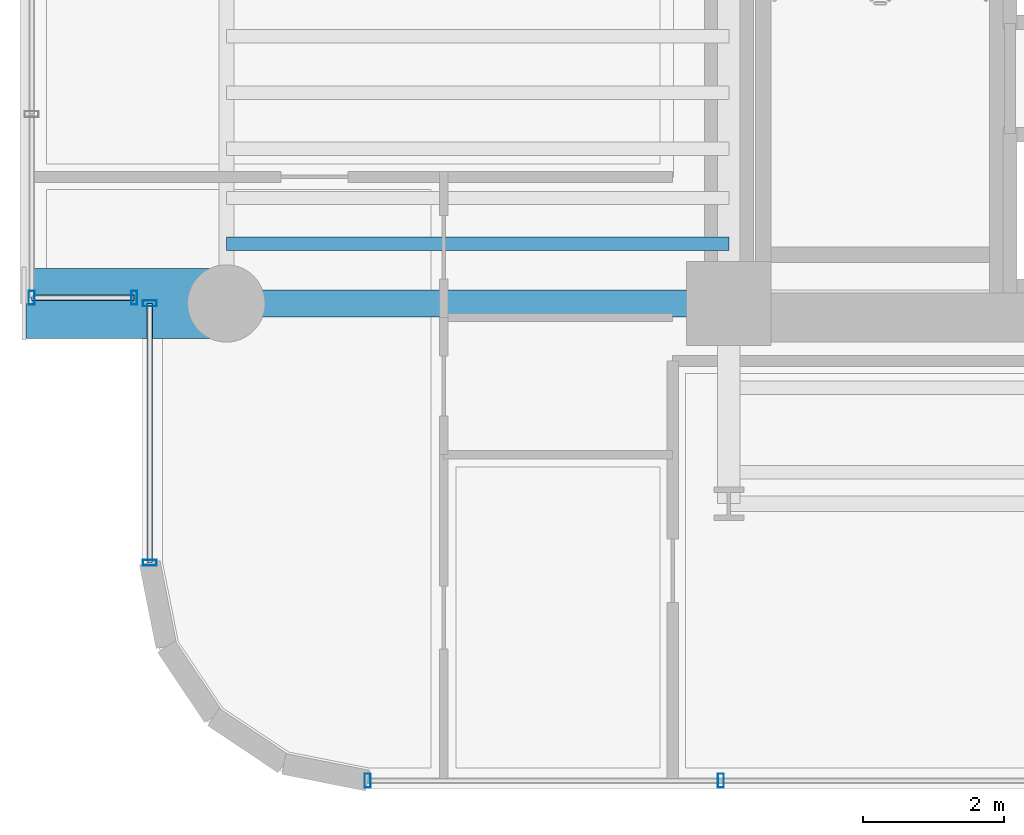
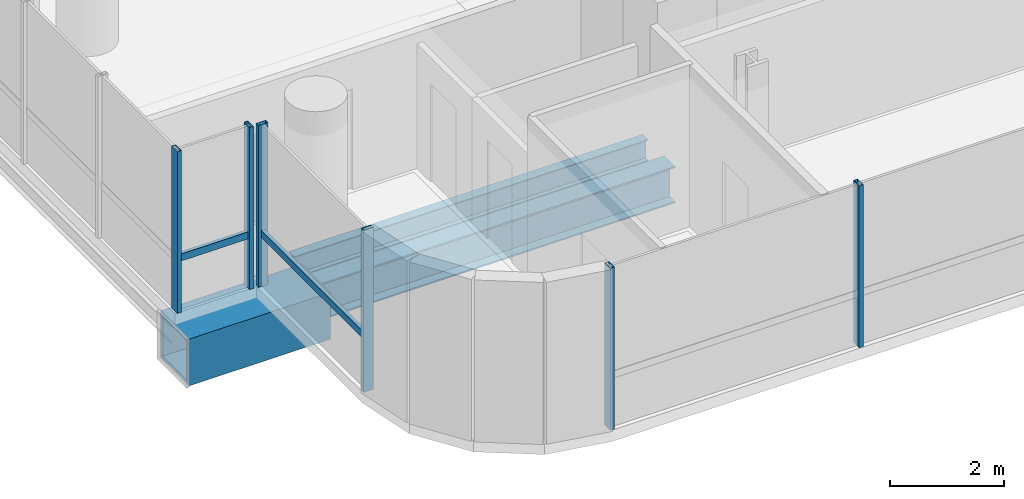
# One storey, part 2 of 38: 8 members, 3 beams, 3 elements without a shape of their own.
"""IFC4 building model written with IfcOpenShell, lengths in metres."""

from ifc_helpers import new_model, si_unit, direction, frame, origin, origin_2d, place, context, subcontext, project, spatial, hollow_rectangle, i_section, extrude, source, transform, mapped, material, material_profile, profile_set, type_object, element, aggregate, save


model = new_model("IFC4")

# Units and contexts
model_context = context("Model", 3, precision=1e-05, world=origin(), true_north=direction((0.0, 1.0)))
body_context = subcontext(model_context, "Body", "Model", "MODEL_VIEW")
ifc_project = project(units=[si_unit("LENGTHUNIT", "METRE"), si_unit("AREAUNIT", "SQUARE_METRE"), si_unit("VOLUMEUNIT", "CUBIC_METRE"), si_unit("PLANEANGLEUNIT", "RADIAN"), si_unit("MASSUNIT", "GRAM", prefix="KILO")], contexts=[model_context])

# Site, building, storey
site_placement = place(None, origin())
site = spatial("IfcSite", under=ifc_project, at=site_placement, CompositionType="ELEMENT")
building_placement = place(site_placement, origin())
building = spatial("IfcBuilding", under=site, at=building_placement, Name="Valdorenza Pilgrim Sanctuary Tower", CompositionType="ELEMENT")
storey_placement = place(building_placement, frame((0.0, 0.0, 131.60009765625)))
storey = spatial("IfcBuildingStorey", under=building, at=storey_placement, Name="L33", CompositionType="ELEMENT", Elevation=131.60009765625)

# Beams
ifc_material_1 = material(Name="Steel ASTM A992 Grade 50", Category="steel")
ifc_material_profile_1 = material_profile(ifc_material_1, i_section(OverallWidth=0.382080078125, OverallDepth=0.779052734375, WebThickness=0.01806640625, FlangeThickness=0.030029296875, at=origin_2d()), Name="W30X191")
ifc_profile_set_1 = profile_set([ifc_material_profile_1], Name="Steel ASTM A992 Grade 50")
beam_type_1 = type_object("IfcBeamType", Name="STR-BM-GRD-W30", PredefinedType="BEAM", material=ifc_profile_set_1)
shared_shape_1 = source(origin(), body_context, "Body", "SweptSolid", [
    extrude(i_section(OverallWidth=0.382080078125, OverallDepth=0.779052734375, WebThickness=0.01806640625, FlangeThickness=0.030029296875, at=origin_2d()), origin(), (0.0, 0.0, 1.0), 7.150146484375),
])
beam_1_placement = place(storey_placement, frame((-29.800048828125, -10.60009765625, -0.629638671875), z_axis=(1.0, 0.0, 0.0), x_axis=(0.0, 1.0, 0.0)))
element("IfcBeam", 1, at=beam_1_placement, inside=storey, type_object=beam_type_1, Name="L33 Floor Girder WA-XW-S1", PredefinedType="BEAM", context=body_context, shape_type="MappedRepresentation", body=[
    mapped(shared_shape_1, transform((0.0, 0.0, 0.0), x_axis=(1.0, 0.0, 0.0), y_axis=(0.0, 1.0, 0.0), z_axis=(0.0, 0.0, 1.0), scale=1.0)),
])
ifc_material_profile_2 = material_profile(ifc_material_1, i_section(OverallWidth=0.19091796875, OverallDepth=0.45703125, WebThickness=0.009033203125, FlangeThickness=0.014404296875, at=origin_2d()), Name="W18X50")
ifc_profile_set_2 = profile_set([ifc_material_profile_2], Name="Steel ASTM A992 Grade 50")
beam_type_2 = type_object("IfcBeamType", Name="STR-BM-JST-W18B", PredefinedType="JOIST", material=ifc_profile_set_2)
shared_shape_2 = source(origin(), body_context, "Body", "SweptSolid", [
    extrude(i_section(OverallWidth=0.19091796875, OverallDepth=0.45703125, WebThickness=0.009033203125, FlangeThickness=0.014404296875, at=origin_2d()), origin(), (0.0, 0.0, 1.0), 7.150146484375),
])
beam_2_placement = place(storey_placement, frame((-29.800048828125, -9.75, -0.468505859375), z_axis=(1.0, 0.0, 0.0), x_axis=(0.0, 1.0, 0.0)))
element("IfcBeam", 2, at=beam_2_placement, inside=storey, type_object=beam_type_2, Name="L33 Composite Floor Joist JST-WA-1", PredefinedType="JOIST", context=body_context, shape_type="MappedRepresentation", body=[
    mapped(shared_shape_2, transform((0.0, 0.0, 0.0), x_axis=(1.0, 0.0, 0.0), y_axis=(0.0, 1.0, 0.0), z_axis=(0.0, 0.0, 1.0), scale=1.0)),
])
ifc_material_2 = material(Name="Steel ASTM A572 Grade 42", Category="steel")
ifc_material_profile_3 = material_profile(ifc_material_2, hollow_rectangle(XDim=1.0, YDim=1.0, WallThickness=0.080078125, at=origin_2d()), Name="BOX 1000x1000x80")
ifc_profile_set_3 = profile_set([ifc_material_profile_3], Name="Steel ASTM A572 Grade 42")
beam_type_3 = type_object("IfcBeamType", Name="STR-BM-PROW-CANT", PredefinedType="BEAM", material=ifc_profile_set_3)
shared_shape_3 = source(origin(), body_context, "Body", "SweptSolid", [
    extrude(hollow_rectangle(XDim=1.0, YDim=1.0, WallThickness=0.080078125, at=origin_2d()), origin(), (0.0, 0.0, 1.0), 2.849853515625),
])
beam_3_placement = place(storey_placement, frame((-29.800048828125, -10.60009765625, -0.739990234375), z_axis=(-1.0, 0.0, 0.0), x_axis=(0.0, -1.0, 0.0)))
element("IfcBeam", 3, at=beam_3_placement, inside=storey, type_object=beam_type_3, Name="L33 Glass Box Cantilever Beam BOX-WA-L33-CT-S", PredefinedType="BEAM", context=body_context, shape_type="MappedRepresentation", body=[
    mapped(shared_shape_3, transform((0.0, 0.0, 0.0), x_axis=(1.0, 0.0, 0.0), y_axis=(0.0, 1.0, 0.0), z_axis=(0.0, 0.0, 1.0), scale=1.0)),
])

# Curtain wall, members
ifc_material_3 = material(Name="Curtain-wall IGU glazing", Category="glass")
curtain_wall_type = type_object("IfcCurtainWallType", Name="CW-SYS-02", PredefinedType="NOTDEFINED", material=ifc_material_3)
curtain_wall_1_placement = place(storey_placement, origin())
curtain_wall_1 = element("IfcCurtainWall", 4, at=curtain_wall_1_placement, inside=storey, type_object=curtain_wall_type, Name="L33 Curtain Wall CW-L33-1-1S1", PredefinedType="NOTDEFINED")
ifc_material_4 = material(Name="Anodised aluminium AW-6060", Category="aluminium")
ifc_material_profile_4 = material_profile(ifc_material_4, hollow_rectangle(XDim=0.0849609375, YDim=0.199951171875, WallThickness=0.0048828125, at=origin_2d()), Name="ALU-M 200x85x5")
ifc_profile_set_4 = profile_set([ifc_material_profile_4], Name="Anodised aluminium AW-6060")
member_type_1 = type_object("IfcMemberType", Name="CW-MUL-02", PredefinedType="MULLION", material=ifc_profile_set_4)
shared_shape_4 = source(origin(), body_context, "Body", "SweptSolid", [
    extrude(hollow_rectangle(XDim=0.0849609375, YDim=0.199951171875, WallThickness=0.0048828125, at=origin_2d()), origin(), (0.0, 0.0, 1.0), 3.4599609375),
])
member_1_placement = place(storey_placement, frame((-30.889892578125, -14.289306640625, 0.0), z_axis=(0.0, 0.0, 1.0), x_axis=(0.0, 1.0, 0.0)))
member_1 = element("IfcMember", 5, at=member_1_placement, type_object=member_type_1, Name="CW-L33-1-1S1 Mullion 1", PredefinedType="MULLION", context=body_context, shape_type="MappedRepresentation", body=[
    mapped(shared_shape_4, transform((0.0, 0.0, 0.0), x_axis=(1.0, 0.0, 0.0), y_axis=(0.0, 1.0, 0.0), z_axis=(0.0, 0.0, 1.0), scale=1.0)),
])
member_2_placement = place(storey_placement, frame((-30.889892578125, -10.60009765625, 0.0), z_axis=(0.0, 0.0, 1.0), x_axis=(0.0, 1.0, 0.0)))
member_2 = element("IfcMember", 6, at=member_2_placement, type_object=member_type_1, Name="CW-L33-1-1S1 Mullion 2", PredefinedType="MULLION", context=body_context, shape_type="MappedRepresentation", body=[
    mapped(shared_shape_4, transform((0.0, 0.0, 0.0), x_axis=(1.0, 0.0, 0.0), y_axis=(0.0, 1.0, 0.0), z_axis=(0.0, 0.0, 1.0), scale=1.0)),
])

curtain_wall_2_placement = place(storey_placement, origin())
curtain_wall_2 = element("IfcCurtainWall", 7, at=curtain_wall_2_placement, inside=storey, type_object=curtain_wall_type, Name="L33 Curtain Wall CW-L33-1-46", PredefinedType="NOTDEFINED")
member_3_placement = place(storey_placement, frame((-22.76318359375, -17.389892578125, 0.0), z_axis=(0.0, 0.0, 1.0), x_axis=(-1.0, 0.0, 0.0)))
member_3 = element("IfcMember", 8, at=member_3_placement, type_object=member_type_1, Name="CW-L33-1-46 Mullion 3", PredefinedType="MULLION", context=body_context, shape_type="MappedRepresentation", body=[
    mapped(shared_shape_4, transform((0.0, 0.0, 0.0), x_axis=(1.0, 0.0, 0.0), y_axis=(0.0, 1.0, 0.0), z_axis=(0.0, 0.0, 1.0), scale=1.0)),
])
member_4_placement = place(storey_placement, frame((-27.789306640625, -17.389892578125, 0.0), z_axis=(0.0, 0.0, 1.0), x_axis=(-1.0, 0.0, 0.0)))
member_4 = element("IfcMember", 9, at=member_4_placement, type_object=member_type_1, Name="CW-L33-1-46 Mullion 4", PredefinedType="MULLION", context=body_context, shape_type="MappedRepresentation", body=[
    mapped(shared_shape_4, transform((0.0, 0.0, 0.0), x_axis=(1.0, 0.0, 0.0), y_axis=(0.0, 1.0, 0.0), z_axis=(0.0, 0.0, 1.0), scale=1.0)),
])
aggregate(curtain_wall_2, [member_3, member_4])

curtain_wall_3_placement = place(storey_placement, origin())
curtain_wall_3 = element("IfcCurtainWall", 10, at=curtain_wall_3_placement, inside=storey, type_object=curtain_wall_type, Name="L33 Curtain Wall CW-L33-BOX-WA-L33-S", PredefinedType="NOTDEFINED")
member_5_placement = place(storey_placement, frame((-31.110107421875, -10.52001953125, 0.0), z_axis=(0.0, 0.0, 1.0), x_axis=(-1.0, 0.0, 0.0)))
member_5 = element("IfcMember", 11, at=member_5_placement, type_object=member_type_1, Name="CW-L33-BOX-WA-L33-S Mullion 1", PredefinedType="MULLION", context=body_context, shape_type="MappedRepresentation", body=[
    mapped(shared_shape_4, transform((0.0, 0.0, 0.0), x_axis=(1.0, 0.0, 0.0), y_axis=(0.0, 1.0, 0.0), z_axis=(0.0, 0.0, 1.0), scale=1.0)),
])
member_6_placement = place(storey_placement, frame((-32.570068359375, -10.52001953125, 0.0), z_axis=(0.0, 0.0, 1.0), x_axis=(-1.0, 0.0, 0.0)))
member_6 = element("IfcMember", 12, at=member_6_placement, type_object=member_type_1, Name="CW-L33-BOX-WA-L33-S Mullion 2", PredefinedType="MULLION", context=body_context, shape_type="MappedRepresentation", body=[
    mapped(shared_shape_4, transform((0.0, 0.0, 0.0), x_axis=(1.0, 0.0, 0.0), y_axis=(0.0, 1.0, 0.0), z_axis=(0.0, 0.0, 1.0), scale=1.0)),
])
ifc_material_profile_5 = material_profile(ifc_material_4, hollow_rectangle(XDim=0.074951171875, YDim=0.14990234375, WallThickness=0.00390625, at=origin_2d()), Name="ALU-T 150x75x4")
ifc_profile_set_5 = profile_set([ifc_material_profile_5], Name="Anodised aluminium AW-6060")
member_type_2 = type_object("IfcMemberType", Name="CW-TRN-02", PredefinedType="USERDEFINED", material=ifc_profile_set_5)
shared_shape_5 = source(origin(), body_context, "Body", "SweptSolid", [
    extrude(hollow_rectangle(XDim=0.074951171875, YDim=0.14990234375, WallThickness=0.00390625, at=origin_2d()), origin(), (0.0, 0.0, 1.0), 1.4599609375),
])
member_7_placement = place(storey_placement, frame((-31.110107421875, -10.52001953125, 1.119873046875), z_axis=(-1.0, 0.0, 0.0), x_axis=(0.0, -1.0, 0.0)))
member_7 = element("IfcMember", 13, at=member_7_placement, type_object=member_type_2, Name="CW-L33-BOX-WA-L33-S Transom 1", ObjectType="TRANSOM", PredefinedType="USERDEFINED", context=body_context, shape_type="MappedRepresentation", body=[
    mapped(shared_shape_5, transform((0.0, 0.0, 0.0), x_axis=(1.0, 0.0, 0.0), y_axis=(0.0, 1.0, 0.0), z_axis=(0.0, 0.0, 1.0), scale=1.0)),
])
aggregate(curtain_wall_3, [member_5, member_6, member_7])

# Member
shared_shape_6 = source(origin(), body_context, "Body", "SweptSolid", [
    extrude(hollow_rectangle(XDim=0.074951171875, YDim=0.14990234375, WallThickness=0.00390625, at=origin_2d()), origin(), (0.0, 0.0, 1.0), 3.689208984375),
])
member_8_placement = place(storey_placement, frame((-30.889892578125, -14.289306640625, 1.119873046875), z_axis=(0.0, 1.0, 0.0), x_axis=(-1.0, 0.0, 0.0)))
member_8 = element("IfcMember", 14, at=member_8_placement, type_object=member_type_2, Name="CW-L33-1-1S1 Transom 1", ObjectType="TRANSOM", PredefinedType="USERDEFINED", context=body_context, shape_type="MappedRepresentation", body=[
    mapped(shared_shape_6, transform((0.0, 0.0, 0.0), x_axis=(1.0, 0.0, 0.0), y_axis=(0.0, 1.0, 0.0), z_axis=(0.0, 0.0, 1.0), scale=1.0)),
])

aggregate(curtain_wall_1, [member_1, member_2, member_8])

save(model, "model.ifc")
